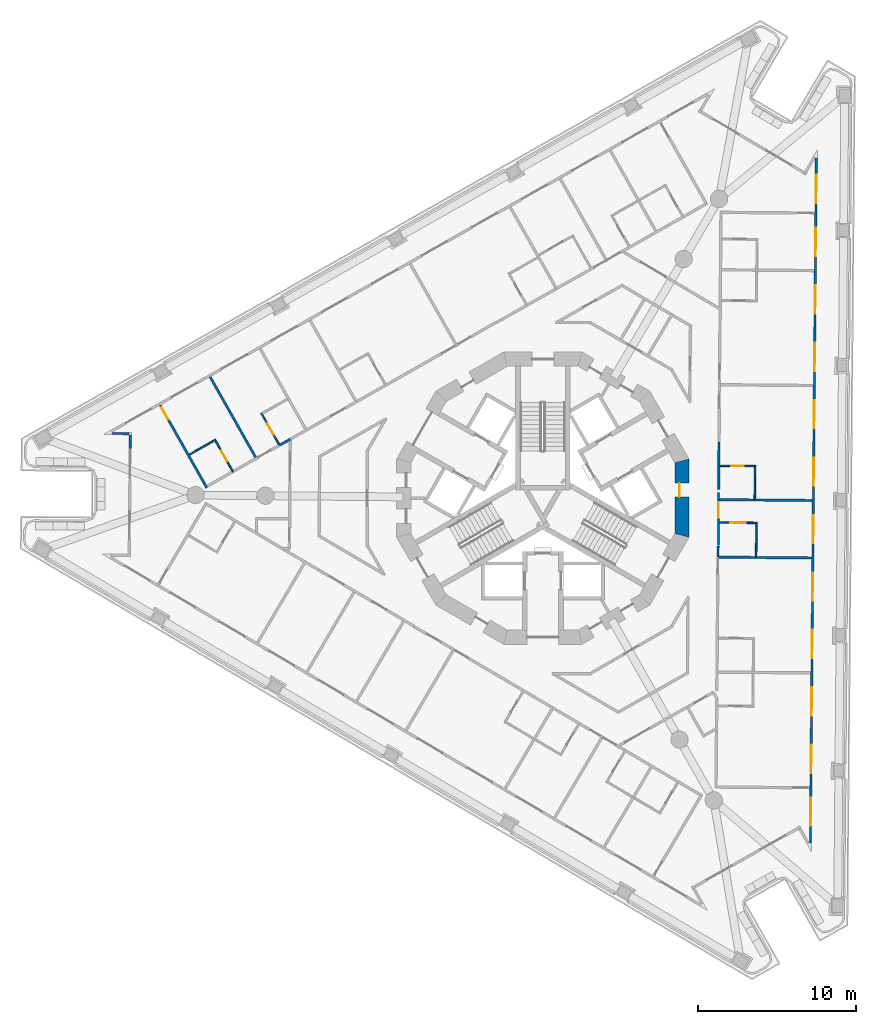
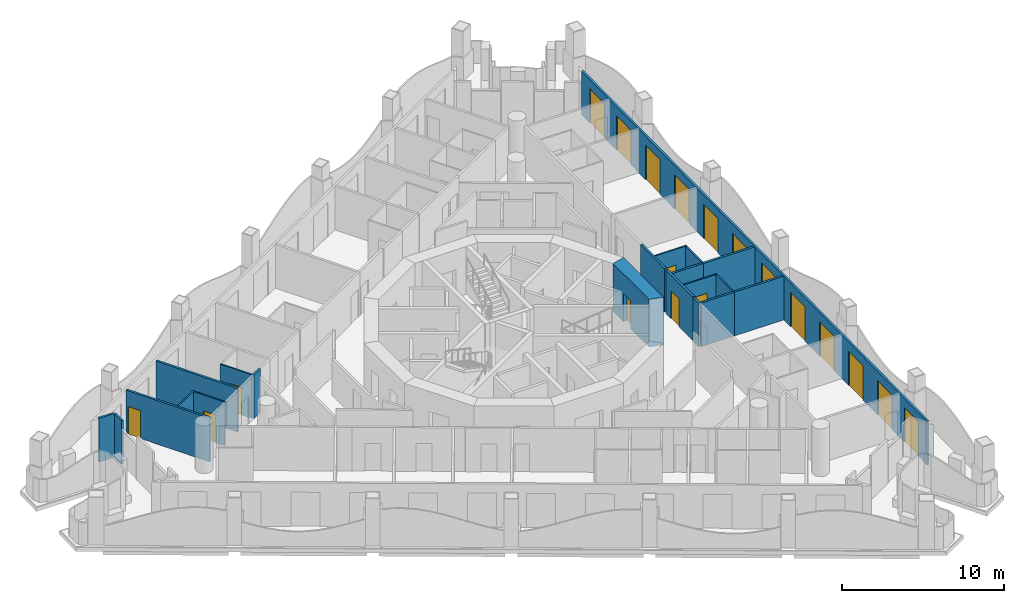
# One storey, part 6 of 17: 21 walls, 19 doors, 19 openings.
"""IFC4 building model written with IfcOpenShell, lengths in metres."""

from ifc_helpers import new_model, si_unit, direction, frame, frame_2d, origin, place, context, subcontext, project, spatial, polyline, rectangle, outline, extrude, material, layer, layer_set, type_object, element, fill, save


model = new_model("IFC4")

# Units and contexts
model_context = context("Model", 3, precision=1e-05, world=origin(), true_north=direction((0.0, 1.0)))
body_context = subcontext(model_context, "Body", "Model", "MODEL_VIEW")
ifc_project = project(units=[si_unit("LENGTHUNIT", "METRE"), si_unit("AREAUNIT", "SQUARE_METRE"), si_unit("VOLUMEUNIT", "CUBIC_METRE"), si_unit("PLANEANGLEUNIT", "RADIAN"), si_unit("MASSUNIT", "GRAM", prefix="KILO")], contexts=[model_context])

# Site, building, storey
site_placement = place(None, origin())
site = spatial("IfcSite", under=ifc_project, at=site_placement, CompositionType="ELEMENT")
building_placement = place(site_placement, origin())
building = spatial("IfcBuilding", under=site, at=building_placement, Name="Trine Commons Tower", CompositionType="ELEMENT")
storey_placement = place(building_placement, frame((0.0, 0.0, 186.300048828125)))
storey = spatial("IfcBuildingStorey", under=building, at=storey_placement, Name="L48", CompositionType="ELEMENT", Elevation=186.300048828125)

# Walls
ifc_material_1 = material(Name="Aluminium-framed insulated wall panel", Category="aluminium")
ifc_layer_1 = layer(ifc_material_1, 0.14990234375)
ifc_layer_set_1 = layer_set([ifc_layer_1], Name="Aluminium-framed insulated wall panel")
wall_type_1 = type_object("IfcWallType", Name="Glazed frame wall 150, EI 60", PredefinedType="SOLIDWALL", material=ifc_layer_set_1)
wall_1_placement = place(storey_placement, frame((53.816162109375, 65.628662109375, 0.0), z_axis=(0.0, 0.0, 1.0), x_axis=(0.008788723053, 0.999961378428, 0.0)))
element("IfcWall", 1, at=wall_1_placement, inside=storey, type_object=wall_type_1, Name="Glazed frame wall P1.5", PredefinedType="SOLIDWALL", context=body_context, shape_type="SweptSolid", body=[
    extrude(outline(polyline([(0.889892578125, 0.074951171875), (0.0, 0.074951171875), (0.0, -0.074951171875), (0.889892578125, -0.074951171875), (0.889892578125, 0.074951171875)])), origin(), (0.0, 0.0, 1.0), 3.300048828125),
])
wall_2_placement = place(storey_placement, frame((53.859619140625, 66.59326171875, 0.0), z_axis=(0.0, 0.0, 1.0), x_axis=(-0.999962043845, 0.008712684354, 0.0)))
element("IfcWall", 2, at=wall_2_placement, inside=storey, type_object=wall_type_1, Name="Glazed frame wall R3", PredefinedType="SOLIDWALL", context=body_context, shape_type="SweptSolid", body=[
    extrude(outline(polyline([(0.110107421875, 0.074951171875), (0.110107421875, -0.074951171875), (1.19580078125, -0.074951171875), (1.19580078125, 0.074951171875), (0.110107421875, 0.074951171875)])), origin(), (0.0, 0.0, 1.0), 3.300048828125),
])

# Wall, openings, doors
wall_3_placement = place(storey_placement, frame((97.36279296875, 84.232421875, 0.0), z_axis=(0.0, 0.0, 1.0), x_axis=(-0.00872447395, -0.999961941053, 0.0)))
wall_3 = element("IfcWall", 3, at=wall_3_placement, inside=storey, type_object=wall_type_1, Name="Glazed frame wall F2", PredefinedType="SOLIDWALL", context=body_context, shape_type="SweptSolid", body=[
    extrude(outline(polyline([(0.1494140625, 0.074951171875), (0.1494140625, -0.074951171875), (43.616943359375, -0.074951171875), (43.616943359375, 0.074951171875), (0.1494140625, 0.074951171875)])), origin(), (0.0, 0.0, 1.0), 3.300048828125),
])
opening_1_placement = place(wall_3_placement, frame((1.2236328125, 0.0, 0.0)))
opening_1 = element("IfcOpeningElement", 4, at=opening_1_placement, cuts=wall_3, Name="Opening BD-5F2-01", PredefinedType="OPENING", context=body_context, shape_type="SweptSolid", body=[
    extrude(rectangle(XDim=1.800048828125, YDim=2.60009765625, at=frame_2d((0.89990234375, 1.300048828125))), frame((0.0, 0.0849609375, 0.0), z_axis=(0.0, -1.0, 0.0), x_axis=(1.0, 0.0, 0.0)), (0.0, 0.0, 1.0), 0.169921875),
])
opening_2_placement = place(wall_3_placement, frame((4.57080078125, 0.0, 0.0)))
opening_2 = element("IfcOpeningElement", 5, at=opening_2_placement, cuts=wall_3, Name="Opening BD-5F2-02", PredefinedType="OPENING", context=body_context, shape_type="SweptSolid", body=[
    extrude(rectangle(XDim=1.800048828125, YDim=2.60009765625, at=frame_2d((0.89990234375, 1.300048828125))), frame((0.0, 0.0849609375, 0.0), z_axis=(0.0, -1.0, 0.0), x_axis=(1.0, 0.0, 0.0)), (0.0, 0.0, 1.0), 0.169921875),
])
opening_3_placement = place(wall_3_placement, frame((8.218017578125, 0.0, 0.0)))
opening_3 = element("IfcOpeningElement", 6, at=opening_3_placement, cuts=wall_3, Name="Opening BD-5F2-03", PredefinedType="OPENING", context=body_context, shape_type="SweptSolid", body=[
    extrude(rectangle(XDim=1.800048828125, YDim=2.60009765625, at=frame_2d((0.89990234375, 1.300048828125))), frame((0.0, 0.0849609375, 0.0), z_axis=(0.0, -1.0, 0.0), x_axis=(1.0, 0.0, 0.0)), (0.0, 0.0, 1.0), 0.169921875),
])
opening_4_placement = place(wall_3_placement, frame((11.865234375, 0.0, 0.0)))
opening_4 = element("IfcOpeningElement", 7, at=opening_4_placement, cuts=wall_3, Name="Opening BD-5F2-04", PredefinedType="OPENING", context=body_context, shape_type="SweptSolid", body=[
    extrude(rectangle(XDim=1.800048828125, YDim=2.60009765625, at=frame_2d((0.89990234375, 1.300048828125))), frame((0.0, 0.0849609375, 0.0), z_axis=(0.0, -1.0, 0.0), x_axis=(1.0, 0.0, 0.0)), (0.0, 0.0, 1.0), 0.169921875),
])
opening_5_placement = place(wall_3_placement, frame((15.512451171875, 0.0, 0.0)))
opening_5 = element("IfcOpeningElement", 8, at=opening_5_placement, cuts=wall_3, Name="Opening BD-5F2-05", PredefinedType="OPENING", context=body_context, shape_type="SweptSolid", body=[
    extrude(rectangle(XDim=1.800048828125, YDim=2.60009765625, at=frame_2d((0.89990234375, 1.300048828125))), frame((0.0, 0.0849609375, 0.0), z_axis=(0.0, -1.0, 0.0), x_axis=(1.0, 0.0, 0.0)), (0.0, 0.0, 1.0), 0.169921875),
])
opening_6_placement = place(wall_3_placement, frame((19.15966796875, 0.0, 0.0)))
opening_6 = element("IfcOpeningElement", 9, at=opening_6_placement, cuts=wall_3, Name="Opening BD-5F2-06", PredefinedType="OPENING", context=body_context, shape_type="SweptSolid", body=[
    extrude(rectangle(XDim=1.800048828125, YDim=2.60009765625, at=frame_2d((0.89990234375, 1.300048828125))), frame((0.0, 0.0849609375, 0.0), z_axis=(0.0, -1.0, 0.0), x_axis=(1.0, 0.0, 0.0)), (0.0, 0.0, 1.0), 0.169921875),
])
opening_7_placement = place(wall_3_placement, frame((22.806884765625, 0.0, 0.0)))
opening_7 = element("IfcOpeningElement", 10, at=opening_7_placement, cuts=wall_3, Name="Opening BD-5F2-07", PredefinedType="OPENING", context=body_context, shape_type="SweptSolid", body=[
    extrude(rectangle(XDim=1.800048828125, YDim=2.60009765625, at=frame_2d((0.89990234375, 1.300048828125))), frame((0.0, 0.0849609375, 0.0), z_axis=(0.0, -1.0, 0.0), x_axis=(1.0, 0.0, 0.0)), (0.0, 0.0, 1.0), 0.169921875),
])
opening_8_placement = place(wall_3_placement, frame((26.4541015625, 0.0, 0.0)))
opening_8 = element("IfcOpeningElement", 11, at=opening_8_placement, cuts=wall_3, Name="Opening BD-5F2-08", PredefinedType="OPENING", context=body_context, shape_type="SweptSolid", body=[
    extrude(rectangle(XDim=1.800048828125, YDim=2.60009765625, at=frame_2d((0.89990234375, 1.300048828125))), frame((0.0, 0.0849609375, 0.0), z_axis=(0.0, -1.0, 0.0), x_axis=(1.0, 0.0, 0.0)), (0.0, 0.0, 1.0), 0.169921875),
])
opening_9_placement = place(wall_3_placement, frame((30.101318359375, 0.0, 0.0)))
opening_9 = element("IfcOpeningElement", 12, at=opening_9_placement, cuts=wall_3, Name="Opening BD-5F2-09", PredefinedType="OPENING", context=body_context, shape_type="SweptSolid", body=[
    extrude(rectangle(XDim=1.800048828125, YDim=2.60009765625, at=frame_2d((0.89990234375, 1.300048828125))), frame((0.0, 0.0849609375, 0.0), z_axis=(0.0, -1.0, 0.0), x_axis=(1.0, 0.0, 0.0)), (0.0, 0.0, 1.0), 0.169921875),
])
opening_10_placement = place(wall_3_placement, frame((33.748291015625, 0.0, 0.0)))
opening_10 = element("IfcOpeningElement", 13, at=opening_10_placement, cuts=wall_3, Name="Opening BD-5F2-10", PredefinedType="OPENING", context=body_context, shape_type="SweptSolid", body=[
    extrude(rectangle(XDim=1.800048828125, YDim=2.60009765625, at=frame_2d((0.89990234375, 1.300048828125))), frame((0.0, 0.0849609375, 0.0), z_axis=(0.0, -1.0, 0.0), x_axis=(1.0, 0.0, 0.0)), (0.0, 0.0, 1.0), 0.169921875),
])
opening_11_placement = place(wall_3_placement, frame((37.3955078125, 0.0, 0.0)))
opening_11 = element("IfcOpeningElement", 14, at=opening_11_placement, cuts=wall_3, Name="Opening BD-5F2-11", PredefinedType="OPENING", context=body_context, shape_type="SweptSolid", body=[
    extrude(rectangle(XDim=1.800048828125, YDim=2.60009765625, at=frame_2d((0.89990234375, 1.300048828125))), frame((0.0, 0.0849609375, 0.0), z_axis=(0.0, -1.0, 0.0), x_axis=(1.0, 0.0, 0.0)), (0.0, 0.0, 1.0), 0.169921875),
])
opening_12_placement = place(wall_3_placement, frame((40.742919921875, 0.0, 0.0)))
opening_12 = element("IfcOpeningElement", 15, at=opening_12_placement, cuts=wall_3, Name="Opening BD-5F2-12", PredefinedType="OPENING", context=body_context, shape_type="SweptSolid", body=[
    extrude(rectangle(XDim=1.800048828125, YDim=2.60009765625, at=frame_2d((0.89990234375, 1.300048828125))), frame((0.0, 0.0849609375, 0.0), z_axis=(0.0, -1.0, 0.0), x_axis=(1.0, 0.0, 0.0)), (0.0, 0.0, 1.0), 0.169921875),
])
ifc_material_2 = material(Name="Anodised aluminium frame with double glazing", Category="aluminium")
door_type_1 = type_object("IfcDoorType", Name="Sliding loggia door 1800x2600", OperationType="SLIDING_TO_LEFT", PredefinedType="DOOR", material=ifc_material_2)
door_1_placement = place(opening_1_placement, origin())
door_1 = element("IfcDoor", 16, at=door_1_placement, inside=storey, type_object=door_type_1, Name="Loggia door F2 1", OperationType="SLIDING_TO_LEFT", OverallHeight=2.60009765625, OverallWidth=1.800048828125, PredefinedType="DOOR", context=body_context, shape_type="SweptSolid", body=[
    extrude(rectangle(XDim=1.800048828125, YDim=2.60009765625, at=frame_2d((0.89990234375, 1.300048828125))), frame((0.0, 0.02490234375, 0.0), z_axis=(0.0, -1.0, 0.0), x_axis=(1.0, 0.0, 0.0)), (0.0, 0.0, 1.0), 0.050048828125),
])
fill(opening_1, door_1)
door_2_placement = place(opening_2_placement, origin())
door_2 = element("IfcDoor", 17, at=door_2_placement, inside=storey, type_object=door_type_1, Name="Loggia door F2 2", OperationType="SLIDING_TO_LEFT", OverallHeight=2.60009765625, OverallWidth=1.800048828125, PredefinedType="DOOR", context=body_context, shape_type="SweptSolid", body=[
    extrude(rectangle(XDim=1.800048828125, YDim=2.60009765625, at=frame_2d((0.89990234375, 1.300048828125))), frame((0.0, 0.02490234375, 0.0), z_axis=(0.0, -1.0, 0.0), x_axis=(1.0, 0.0, 0.0)), (0.0, 0.0, 1.0), 0.050048828125),
])
fill(opening_2, door_2)
door_3_placement = place(opening_3_placement, origin())
door_3 = element("IfcDoor", 18, at=door_3_placement, inside=storey, type_object=door_type_1, Name="Loggia door F2 3", OperationType="SLIDING_TO_LEFT", OverallHeight=2.60009765625, OverallWidth=1.800048828125, PredefinedType="DOOR", context=body_context, shape_type="SweptSolid", body=[
    extrude(rectangle(XDim=1.800048828125, YDim=2.60009765625, at=frame_2d((0.89990234375, 1.300048828125))), frame((0.0, 0.02490234375, 0.0), z_axis=(0.0, -1.0, 0.0), x_axis=(1.0, 0.0, 0.0)), (0.0, 0.0, 1.0), 0.050048828125),
])
fill(opening_3, door_3)
door_4_placement = place(opening_4_placement, origin())
door_4 = element("IfcDoor", 19, at=door_4_placement, inside=storey, type_object=door_type_1, Name="Loggia door F2 4", OperationType="SLIDING_TO_LEFT", OverallHeight=2.60009765625, OverallWidth=1.800048828125, PredefinedType="DOOR", context=body_context, shape_type="SweptSolid", body=[
    extrude(rectangle(XDim=1.800048828125, YDim=2.60009765625, at=frame_2d((0.89990234375, 1.300048828125))), frame((0.0, 0.02490234375, 0.0), z_axis=(0.0, -1.0, 0.0), x_axis=(1.0, 0.0, 0.0)), (0.0, 0.0, 1.0), 0.050048828125),
])
fill(opening_4, door_4)
door_5_placement = place(opening_5_placement, origin())
door_5 = element("IfcDoor", 20, at=door_5_placement, inside=storey, type_object=door_type_1, Name="Loggia door F2 5", OperationType="SLIDING_TO_LEFT", OverallHeight=2.60009765625, OverallWidth=1.800048828125, PredefinedType="DOOR", context=body_context, shape_type="SweptSolid", body=[
    extrude(rectangle(XDim=1.800048828125, YDim=2.60009765625, at=frame_2d((0.89990234375, 1.300048828125))), frame((0.0, 0.02490234375, 0.0), z_axis=(0.0, -1.0, 0.0), x_axis=(1.0, 0.0, 0.0)), (0.0, 0.0, 1.0), 0.050048828125),
])
fill(opening_5, door_5)
door_6_placement = place(opening_6_placement, origin())
door_6 = element("IfcDoor", 21, at=door_6_placement, inside=storey, type_object=door_type_1, Name="Loggia door F2 6", OperationType="SLIDING_TO_LEFT", OverallHeight=2.60009765625, OverallWidth=1.800048828125, PredefinedType="DOOR", context=body_context, shape_type="SweptSolid", body=[
    extrude(rectangle(XDim=1.800048828125, YDim=2.60009765625, at=frame_2d((0.89990234375, 1.300048828125))), frame((0.0, 0.02490234375, 0.0), z_axis=(0.0, -1.0, 0.0), x_axis=(1.0, 0.0, 0.0)), (0.0, 0.0, 1.0), 0.050048828125),
])
fill(opening_6, door_6)
door_7_placement = place(opening_7_placement, origin())
door_7 = element("IfcDoor", 22, at=door_7_placement, inside=storey, type_object=door_type_1, Name="Loggia door F2 7", OperationType="SLIDING_TO_LEFT", OverallHeight=2.60009765625, OverallWidth=1.800048828125, PredefinedType="DOOR", context=body_context, shape_type="SweptSolid", body=[
    extrude(rectangle(XDim=1.800048828125, YDim=2.60009765625, at=frame_2d((0.89990234375, 1.300048828125))), frame((0.0, 0.02490234375, 0.0), z_axis=(0.0, -1.0, 0.0), x_axis=(1.0, 0.0, 0.0)), (0.0, 0.0, 1.0), 0.050048828125),
])
fill(opening_7, door_7)
door_8_placement = place(opening_8_placement, origin())
door_8 = element("IfcDoor", 23, at=door_8_placement, inside=storey, type_object=door_type_1, Name="Loggia door F2 8", OperationType="SLIDING_TO_LEFT", OverallHeight=2.60009765625, OverallWidth=1.800048828125, PredefinedType="DOOR", context=body_context, shape_type="SweptSolid", body=[
    extrude(rectangle(XDim=1.800048828125, YDim=2.60009765625, at=frame_2d((0.89990234375, 1.300048828125))), frame((0.0, 0.02490234375, 0.0), z_axis=(0.0, -1.0, 0.0), x_axis=(1.0, 0.0, 0.0)), (0.0, 0.0, 1.0), 0.050048828125),
])
fill(opening_8, door_8)
door_9_placement = place(opening_9_placement, origin())
door_9 = element("IfcDoor", 24, at=door_9_placement, inside=storey, type_object=door_type_1, Name="Loggia door F2 9", OperationType="SLIDING_TO_LEFT", OverallHeight=2.60009765625, OverallWidth=1.800048828125, PredefinedType="DOOR", context=body_context, shape_type="SweptSolid", body=[
    extrude(rectangle(XDim=1.800048828125, YDim=2.60009765625, at=frame_2d((0.89990234375, 1.300048828125))), frame((0.0, 0.02490234375, 0.0), z_axis=(0.0, -1.0, 0.0), x_axis=(1.0, 0.0, 0.0)), (0.0, 0.0, 1.0), 0.050048828125),
])
fill(opening_9, door_9)
door_10_placement = place(opening_10_placement, origin())
door_10 = element("IfcDoor", 25, at=door_10_placement, inside=storey, type_object=door_type_1, Name="Loggia door F2 10", OperationType="SLIDING_TO_LEFT", OverallHeight=2.60009765625, OverallWidth=1.800048828125, PredefinedType="DOOR", context=body_context, shape_type="SweptSolid", body=[
    extrude(rectangle(XDim=1.800048828125, YDim=2.60009765625, at=frame_2d((0.89990234375, 1.300048828125))), frame((0.0, 0.02490234375, 0.0), z_axis=(0.0, -1.0, 0.0), x_axis=(1.0, 0.0, 0.0)), (0.0, 0.0, 1.0), 0.050048828125),
])
fill(opening_10, door_10)
door_11_placement = place(opening_11_placement, origin())
door_11 = element("IfcDoor", 26, at=door_11_placement, inside=storey, type_object=door_type_1, Name="Loggia door F2 11", OperationType="SLIDING_TO_LEFT", OverallHeight=2.60009765625, OverallWidth=1.800048828125, PredefinedType="DOOR", context=body_context, shape_type="SweptSolid", body=[
    extrude(rectangle(XDim=1.800048828125, YDim=2.60009765625, at=frame_2d((0.89990234375, 1.300048828125))), frame((0.0, 0.02490234375, 0.0), z_axis=(0.0, -1.0, 0.0), x_axis=(1.0, 0.0, 0.0)), (0.0, 0.0, 1.0), 0.050048828125),
])
fill(opening_11, door_11)
door_12_placement = place(opening_12_placement, origin())
door_12 = element("IfcDoor", 27, at=door_12_placement, inside=storey, type_object=door_type_1, Name="Loggia door F2 12", OperationType="SLIDING_TO_LEFT", OverallHeight=2.60009765625, OverallWidth=1.800048828125, PredefinedType="DOOR", context=body_context, shape_type="SweptSolid", body=[
    extrude(rectangle(XDim=1.800048828125, YDim=2.60009765625, at=frame_2d((0.89990234375, 1.300048828125))), frame((0.0, 0.02490234375, 0.0), z_axis=(0.0, -1.0, 0.0), x_axis=(1.0, 0.0, 0.0)), (0.0, 0.0, 1.0), 0.050048828125),
])
fill(opening_12, door_12)

# Wall, opening, door
ifc_material_3 = material(Name="Concrete C60/75", Category="concrete")
ifc_layer_2 = layer(ifc_material_3, 0.89990234375)
ifc_layer_set_2 = layer_set([ifc_layer_2], Name="Concrete C60/75")
wall_type_2 = type_object("IfcWallType", Name="RC shear wall 900 mm, C60/75", PredefinedType="SHEAR", material=ifc_layer_set_2)
wall_4_placement = place(storey_placement, frame((88.822998046875, 60.015380859375, 0.0), z_axis=(0.0, 0.0, 1.0), x_axis=(0.0, 1.0, 0.0)))
wall_4 = element("IfcWall", 28, at=wall_4_placement, inside=storey, type_object=wall_type_2, Name="Core wall CWE-01 L48", PredefinedType="SHEAR", context=body_context, shape_type="SweptSolid", body=[
    extrude(outline(polyline([(0.0, -0.449951171875), (4.969482421875, -0.449951171875), (4.728271484375, 0.449951171875), (0.2412109375, 0.449951171875), (0.0, -0.449951171875)])), origin(), (0.0, 0.0, 1.0), 3.599853515625),
])
opening_13_placement = place(wall_4_placement, frame((2.543701171875, 0.0, 0.0)))
opening_13 = element("IfcOpeningElement", 29, at=opening_13_placement, cuts=wall_4, Name="Opening K11.10", PredefinedType="OPENING", context=body_context, shape_type="SweptSolid", body=[
    extrude(rectangle(XDim=0.89990234375, YDim=2.10009765625, at=frame_2d((0.449951171875, 1.050048828125))), frame((0.0, 0.4599609375, 0.0), z_axis=(0.0, -1.0, 0.0), x_axis=(1.0, 0.0, 0.0)), (0.0, 0.0, 1.0), 0.919921875),
])
ifc_material_4 = material(Name="Steel door leaf, fire-rated", Category="steel")
door_type_2 = type_object("IfcDoorType", Name="Core room door, single leaf 900 x 2100, FD30S", OperationType="SINGLE_SWING_LEFT", PredefinedType="DOOR", material=ifc_material_4)
door_13_placement = place(opening_13_placement, origin())
door_13 = element("IfcDoor", 30, at=door_13_placement, inside=storey, type_object=door_type_2, Name="Door to Accessible WC L48", OperationType="SINGLE_SWING_RIGHT", OverallHeight=2.10009765625, OverallWidth=0.89990234375, PredefinedType="DOOR", context=body_context, shape_type="SweptSolid", body=[
    extrude(rectangle(XDim=0.89990234375, YDim=2.10009765625, at=frame_2d((0.449951171875, 1.050048828125))), frame((0.0, 0.1748046875, 0.0), z_axis=(0.0, -1.0, 0.0), x_axis=(1.0, 0.0, 0.0)), (0.0, 0.0, 1.0), 0.050048828125),
])
fill(opening_13, door_13)

ifc_material_5 = material(Name="Gypsum plasterboard on steel stud", Category="steel")
ifc_layer_3 = layer(ifc_material_5, 0.14990234375)
ifc_layer_set_3 = layer_set([ifc_layer_3], Name="Gypsum plasterboard on steel stud")
wall_type_3 = type_object("IfcWallType", Name="Unit and corridor wall 150 mm, EI 60", PredefinedType="PARTITIONING", material=ifc_layer_set_3)
wall_5_placement = place(storey_placement, frame((55.708740234375, 68.401123046875, 0.0), z_axis=(0.0, 0.0, 1.0), x_axis=(0.492481823802, -0.870322729351, 0.0)))
wall_5 = element("IfcWall", 31, at=wall_5_placement, inside=storey, type_object=wall_type_3, Name="Partition 002", PredefinedType="PARTITIONING", context=body_context, shape_type="SweptSolid", body=[
    extrude(rectangle(XDim=6.024658203125, YDim=0.14990234375, at=frame_2d((3.01220703125, 0.0))), origin(), (0.0, 0.0, 1.0), 3.300048828125),
])
opening_14_placement = place(wall_5_placement, frame((0.14990234375, 0.0, 0.0)))
opening_14 = element("IfcOpeningElement", 32, at=opening_14_placement, cuts=wall_5, Name="Opening D-5C06", PredefinedType="OPENING", context=body_context, shape_type="SweptSolid", body=[
    extrude(rectangle(XDim=0.89990234375, YDim=2.10009765625, at=frame_2d((0.449951171875, 1.050048828125))), frame((0.0, 0.0849609375, 0.0), z_axis=(0.0, -1.0, 0.0), x_axis=(1.0, 0.0, 0.0)), (0.0, 0.0, 1.0), 0.169921875),
])
ifc_material_6 = material(Name="Timber fire door set", Category="wood")
door_type_3 = type_object("IfcDoorType", Name="Bedroom door 900 x 2100, FD30S", OperationType="NOTDEFINED", PredefinedType="DOOR", material=ifc_material_6)
door_14_placement = place(opening_14_placement, origin())
door_14 = element("IfcDoor", 33, at=door_14_placement, inside=storey, type_object=door_type_3, Name="Door D-5C06", OperationType="SINGLE_SWING_LEFT", OverallHeight=2.10009765625, OverallWidth=0.89990234375, PredefinedType="DOOR", context=body_context, shape_type="SweptSolid", body=[
    extrude(rectangle(XDim=0.89990234375, YDim=2.10009765625, at=frame_2d((0.449951171875, 1.050048828125))), frame((0.0, 0.02490234375, 0.0), z_axis=(0.0, -1.0, 0.0), x_axis=(1.0, 0.0, 0.0)), (0.0, 0.0, 1.0), 0.050048828125),
])
fill(opening_14, door_14)

# Walls
wall_6_placement = place(storey_placement, frame((58.8837890625, 70.197265625, 0.0), z_axis=(0.0, 0.0, 1.0), x_axis=(0.492361245758, -0.870390948756, 0.0)))
element("IfcWall", 34, at=wall_6_placement, inside=storey, type_object=wall_type_3, Name="Partition 008", PredefinedType="PARTITIONING", context=body_context, shape_type="SweptSolid", body=[
    extrude(rectangle(XDim=5.87451171875, YDim=0.14990234375, at=frame_2d((2.937255859375, 0.0))), origin(), (0.0, 0.0, 1.0), 3.300048828125),
])
wall_7_placement = place(storey_placement, frame((63.287109375, 65.85302734375, 0.0), z_axis=(0.0, 0.0, 1.0), x_axis=(0.870304245998, 0.492514486485, 0.0)))
element("IfcWall", 35, at=wall_7_placement, inside=storey, type_object=wall_type_3, Name="Partition 018", PredefinedType="PARTITIONING", context=body_context, shape_type="SweptSolid", body=[
    extrude(rectangle(XDim=0.791748046875, YDim=0.14990234375, at=frame_2d((0.39599609375, 0.0))), origin(), (0.0, 0.0, 1.0), 3.300048828125),
])
wall_8_placement = place(storey_placement, frame((91.115966796875, 58.751953125, 0.0), z_axis=(0.0, 0.0, 1.0), x_axis=(0.008511778806, 0.999963774155, 0.0)))
element("IfcWall", 36, at=wall_8_placement, inside=storey, type_object=wall_type_3, Name="Partition 112", PredefinedType="PARTITIONING", context=body_context, shape_type="SweptSolid", body=[
    extrude(rectangle(XDim=0.717041015625, YDim=0.14990234375, at=frame_2d((0.3583984375, 0.0))), origin(), (0.0, 0.0, 1.0), 3.300048828125),
])
wall_9_placement = place(storey_placement, frame((91.19091796875, 58.75537109375, 0.0), z_axis=(0.0, 0.0, 1.0), x_axis=(0.999958111016, -0.009152934655, 0.0)))
element("IfcWall", 37, at=wall_9_placement, inside=storey, type_object=wall_type_3, Name="Partition 113", PredefinedType="PARTITIONING", context=body_context, shape_type="SweptSolid", body=[
    extrude(rectangle(XDim=2.34716796875, YDim=0.14990234375, at=frame_2d((1.173583984375, 0.0))), origin(), (0.0, 0.0, 1.0), 3.300048828125),
])

# Wall, opening, door
wall_10_placement = place(storey_placement, frame((91.14794921875, 59.512939453125, 0.0), z_axis=(0.0, 0.0, 1.0), x_axis=(0.0, 1.0, 0.0)))
wall_10 = element("IfcWall", 38, at=wall_10_placement, inside=storey, type_object=wall_type_3, Name="Partition 114", PredefinedType="PARTITIONING", context=body_context, shape_type="SweptSolid", body=[
    extrude(rectangle(XDim=3.34716796875, YDim=0.14990234375, at=frame_2d((1.673583984375, 0.0))), origin(), (0.0, 0.0, 1.0), 3.300048828125),
])
opening_15_placement = place(wall_10_placement, frame((1.739990234375, 0.0, 0.0)))
opening_15 = element("IfcOpeningElement", 39, at=opening_15_placement, cuts=wall_10, Name="Opening D-5C17", PredefinedType="OPENING", context=body_context, shape_type="SweptSolid", body=[
    extrude(rectangle(XDim=1.0, YDim=2.10009765625, at=frame_2d((0.5, 1.050048828125))), frame((0.0, 0.0849609375, 0.0), z_axis=(0.0, -1.0, 0.0), x_axis=(1.0, 0.0, 0.0)), (0.0, 0.0, 1.0), 0.169921875),
])
door_type_4 = type_object("IfcDoorType", Name="Bedroom door 1000 x 2100, FD30S", OperationType="NOTDEFINED", PredefinedType="DOOR", material=ifc_material_6)
door_15_placement = place(opening_15_placement, frame((1.0, 0.0, 0.0), z_axis=(0.0, 0.0, 1.0), x_axis=(-1.0, 0.0, 0.0)))
door_15 = element("IfcDoor", 40, at=door_15_placement, inside=storey, type_object=door_type_4, Name="Door D-5C17", OperationType="SINGLE_SWING_LEFT", OverallHeight=2.10009765625, OverallWidth=1.0, PredefinedType="DOOR", context=body_context, shape_type="SweptSolid", body=[
    extrude(rectangle(XDim=1.0, YDim=2.10009765625, at=frame_2d((0.5, 1.050048828125))), frame((0.0, 0.02490234375, 0.0), z_axis=(0.0, -1.0, 0.0), x_axis=(1.0, 0.0, 0.0)), (0.0, 0.0, 1.0), 0.050048828125),
])
fill(opening_15, door_15)

# Walls
wall_11_placement = place(storey_placement, frame((91.222900390625, 62.40234375, 0.0), z_axis=(0.0, 0.0, 1.0), x_axis=(0.999962435149, -0.008667657711, 0.0)))
element("IfcWall", 41, at=wall_11_placement, inside=storey, type_object=wall_type_3, Name="Partition 116", PredefinedType="PARTITIONING", context=body_context, shape_type="SweptSolid", body=[
    extrude(rectangle(XDim=2.22509765625, YDim=0.14990234375, at=frame_2d((1.112548828125, 0.0))), origin(), (0.0, 0.0, 1.0), 3.300048828125),
])
wall_12_placement = place(storey_placement, frame((91.154052734375, 63.05810546875, 0.0), z_axis=(0.0, 0.0, 1.0), x_axis=(0.008649207267, 0.999962594907, 0.0)))
element("IfcWall", 42, at=wall_12_placement, inside=storey, type_object=wall_type_3, Name="Partition 117", PredefinedType="PARTITIONING", context=body_context, shape_type="SweptSolid", body=[
    extrude(rectangle(XDim=2.991943359375, YDim=0.14990234375, at=frame_2d((1.49609375, 0.0))), origin(), (0.0, 0.0, 1.0), 3.300048828125),
])
wall_13_placement = place(storey_placement, frame((93.447998046875, 62.383056640625, 0.0), z_axis=(0.0, 0.0, 1.0), x_axis=(0.999959811346, -0.008965249212, 0.0)))
element("IfcWall", 43, at=wall_13_placement, inside=storey, type_object=wall_type_3, Name="Partition 131", PredefinedType="PARTITIONING", context=body_context, shape_type="SweptSolid", body=[
    extrude(rectangle(XDim=3.649169921875, YDim=0.14990234375, at=frame_2d((1.82470703125, 0.0))), origin(), (0.0, 0.0, 1.0), 3.300048828125),
])
wall_14_placement = place(storey_placement, frame((93.5380859375, 58.73388671875, 0.0), z_axis=(0.0, 0.0, 1.0), x_axis=(0.999962565639, -0.008652590385, 0.0)))
element("IfcWall", 44, at=wall_14_placement, inside=storey, type_object=wall_type_3, Name="Partition 133", PredefinedType="PARTITIONING", context=body_context, shape_type="SweptSolid", body=[
    extrude(rectangle(XDim=3.527099609375, YDim=0.14990234375, at=frame_2d((1.763671875, 0.0))), origin(), (0.0, 0.0, 1.0), 3.300048828125),
])
ifc_layer_4 = layer(ifc_material_5, 0.10009765625)
ifc_layer_set_4 = layer_set([ifc_layer_4], Name="Gypsum plasterboard on steel stud")
wall_type_4 = type_object("IfcWallType", Name="Unit partition 100 mm, no rating", PredefinedType="PARTITIONING", material=ifc_layer_set_4)
wall_15_placement = place(storey_placement, frame((57.5712890625, 65.261962890625, 0.0), z_axis=(0.0, 0.0, 1.0), x_axis=(0.870373787042, 0.492391582818, 0.0)))
element("IfcWall", 45, at=wall_15_placement, inside=storey, type_object=wall_type_4, Name="Partition 005", PredefinedType="PARTITIONING", context=body_context, shape_type="SweptSolid", body=[
    extrude(rectangle(XDim=1.9248046875, YDim=0.10009765625, at=frame_2d((0.96240234375, 0.0))), origin(), (0.0, 0.0, 1.0), 3.300048828125),
])

# Wall, opening, door
wall_16_placement = place(storey_placement, frame((59.2275390625, 66.1416015625, 0.0), z_axis=(0.0, 0.0, 1.0), x_axis=(0.492536208657, -0.87029195283, 0.0)))
wall_16 = element("IfcWall", 46, at=wall_16_placement, inside=storey, type_object=wall_type_4, Name="Partition 009", PredefinedType="PARTITIONING", context=body_context, shape_type="SweptSolid", body=[
    extrude(rectangle(XDim=2.25048828125, YDim=0.10009765625, at=frame_2d((1.125244140625, 0.0))), origin(), (0.0, 0.0, 1.0), 3.300048828125),
])
opening_16_placement = place(wall_16_placement, frame((0.72509765625, 0.0, 0.0)))
opening_16 = element("IfcOpeningElement", 47, at=opening_16_placement, cuts=wall_16, Name="Opening D-5C33", PredefinedType="OPENING", context=body_context, shape_type="SweptSolid", body=[
    extrude(rectangle(XDim=0.800048828125, YDim=2.10009765625, at=frame_2d((0.39990234375, 1.050048828125))), frame((0.0, 0.06005859375, 0.0), z_axis=(0.0, -1.0, 0.0), x_axis=(1.0, 0.0, 0.0)), (0.0, 0.0, 1.0), 0.1201171875),
])
ifc_material_7 = material(Name="Painted timber", Category="wood")
door_type_5 = type_object("IfcDoorType", Name="Internal door 800 x 2100, NOT RATED", OperationType="NOTDEFINED", PredefinedType="DOOR", material=ifc_material_7)
door_16_placement = place(opening_16_placement, origin())
door_16 = element("IfcDoor", 48, at=door_16_placement, inside=storey, type_object=door_type_5, Name="Door D-5C33", OperationType="SINGLE_SWING_RIGHT", OverallHeight=2.10009765625, OverallWidth=0.800048828125, PredefinedType="DOOR", context=body_context, shape_type="SweptSolid", body=[
    extrude(rectangle(XDim=0.800048828125, YDim=2.10009765625, at=frame_2d((0.39990234375, 1.050048828125))), frame((0.0, 0.02490234375, 0.0), z_axis=(0.0, -1.0, 0.0), x_axis=(1.0, 0.0, 0.0)), (0.0, 0.0, 1.0), 0.050048828125),
])
fill(opening_16, door_16)

wall_17_placement = place(storey_placement, frame((62.13330078125, 67.900390625, 0.0), z_axis=(0.0, 0.0, 1.0), x_axis=(0.492308331861, -0.870420878874, 0.0)))
wall_17 = element("IfcWall", 49, at=wall_17_placement, inside=storey, type_object=wall_type_4, Name="Partition 016", PredefinedType="PARTITIONING", context=body_context, shape_type="SweptSolid", body=[
    extrude(rectangle(XDim=2.274658203125, YDim=0.10009765625, at=frame_2d((1.13720703125, 0.0))), origin(), (0.0, 0.0, 1.0), 3.300048828125),
])
opening_17_placement = place(wall_17_placement, frame((0.762451171875, 0.0, 0.0)))
opening_17 = element("IfcOpeningElement", 50, at=opening_17_placement, cuts=wall_17, Name="Opening D-5C34", PredefinedType="OPENING", context=body_context, shape_type="SweptSolid", body=[
    extrude(rectangle(XDim=0.800048828125, YDim=2.10009765625, at=frame_2d((0.39990234375, 1.050048828125))), frame((0.0, 0.06005859375, 0.0), z_axis=(0.0, -1.0, 0.0), x_axis=(1.0, 0.0, 0.0)), (0.0, 0.0, 1.0), 0.1201171875),
])
door_17_placement = place(opening_17_placement, frame((0.800048828125, 0.0, 0.0), z_axis=(0.0, 0.0, 1.0), x_axis=(-1.0, 0.0, 0.0)))
door_17 = element("IfcDoor", 51, at=door_17_placement, inside=storey, type_object=door_type_5, Name="Door D-5C34", OperationType="SINGLE_SWING_LEFT", OverallHeight=2.10009765625, OverallWidth=0.800048828125, PredefinedType="DOOR", context=body_context, shape_type="SweptSolid", body=[
    extrude(rectangle(XDim=0.800048828125, YDim=2.10009765625, at=frame_2d((0.39990234375, 1.050048828125))), frame((0.0, 0.02490234375, 0.0), z_axis=(0.0, -1.0, 0.0), x_axis=(1.0, 0.0, 0.0)), (0.0, 0.0, 1.0), 0.050048828125),
])
fill(opening_17, door_17)

wall_18_placement = place(storey_placement, frame((91.222900390625, 60.954345703125, 0.0), z_axis=(0.0, 0.0, 1.0), x_axis=(0.99996214851, -0.008700663591, 0.0)))
wall_18 = element("IfcWall", 52, at=wall_18_placement, inside=storey, type_object=wall_type_4, Name="Partition 115", PredefinedType="PARTITIONING", context=body_context, shape_type="SweptSolid", body=[
    extrude(rectangle(XDim=2.385009765625, YDim=0.10009765625, at=frame_2d((1.1923828125, 0.0))), origin(), (0.0, 0.0, 1.0), 3.300048828125),
])
opening_18_placement = place(wall_18_placement, frame((0.66748046875, 0.0, 0.0)))
opening_18 = element("IfcOpeningElement", 53, at=opening_18_placement, cuts=wall_18, Name="Opening D-5C43", PredefinedType="OPENING", context=body_context, shape_type="SweptSolid", body=[
    extrude(rectangle(XDim=1.0, YDim=2.10009765625, at=frame_2d((0.5, 1.050048828125))), frame((0.0, 0.06005859375, 0.0), z_axis=(0.0, -1.0, 0.0), x_axis=(1.0, 0.0, 0.0)), (0.0, 0.0, 1.0), 0.1201171875),
])
door_type_6 = type_object("IfcDoorType", Name="Internal door 1000 x 2100, NOT RATED", OperationType="NOTDEFINED", PredefinedType="DOOR", material=ifc_material_7)
door_18_placement = place(opening_18_placement, origin())
door_18 = element("IfcDoor", 54, at=door_18_placement, inside=storey, type_object=door_type_6, Name="Door D-5C43", OperationType="SINGLE_SWING_LEFT", OverallHeight=2.10009765625, OverallWidth=1.0, PredefinedType="DOOR", context=body_context, shape_type="SweptSolid", body=[
    extrude(rectangle(XDim=1.0, YDim=2.10009765625, at=frame_2d((0.5, 1.050048828125))), frame((0.0, 0.02490234375, 0.0), z_axis=(0.0, -1.0, 0.0), x_axis=(1.0, 0.0, 0.0)), (0.0, 0.0, 1.0), 0.050048828125),
])
fill(opening_18, door_18)

wall_19_placement = place(storey_placement, frame((91.241943359375, 64.55224609375, 0.0), z_axis=(0.0, 0.0, 1.0), x_axis=(0.999958404904, -0.009120770943, 0.0)))
wall_19 = element("IfcWall", 55, at=wall_19_placement, inside=storey, type_object=wall_type_4, Name="Partition 118", PredefinedType="PARTITIONING", context=body_context, shape_type="SweptSolid", body=[
    extrude(rectangle(XDim=2.275146484375, YDim=0.10009765625, at=frame_2d((1.1376953125, 0.0))), origin(), (0.0, 0.0, 1.0), 3.300048828125),
])
opening_19_placement = place(wall_19_placement, frame((0.71240234375, 0.0, 0.0)))
opening_19 = element("IfcOpeningElement", 56, at=opening_19_placement, cuts=wall_19, Name="Opening D-5C42", PredefinedType="OPENING", context=body_context, shape_type="SweptSolid", body=[
    extrude(rectangle(XDim=0.800048828125, YDim=2.10009765625, at=frame_2d((0.39990234375, 1.050048828125))), frame((0.0, 0.06005859375, 0.0), z_axis=(0.0, -1.0, 0.0), x_axis=(1.0, 0.0, 0.0)), (0.0, 0.0, 1.0), 0.1201171875),
])
door_19_placement = place(opening_19_placement, origin())
door_19 = element("IfcDoor", 57, at=door_19_placement, inside=storey, type_object=door_type_5, Name="Door D-5C42", OperationType="SINGLE_SWING_LEFT", OverallHeight=2.10009765625, OverallWidth=0.800048828125, PredefinedType="DOOR", context=body_context, shape_type="SweptSolid", body=[
    extrude(rectangle(XDim=0.800048828125, YDim=2.10009765625, at=frame_2d((0.39990234375, 1.050048828125))), frame((0.0, 0.02490234375, 0.0), z_axis=(0.0, -1.0, 0.0), x_axis=(1.0, 0.0, 0.0)), (0.0, 0.0, 1.0), 0.050048828125),
])
fill(opening_19, door_19)

# Walls
wall_20_placement = place(storey_placement, frame((93.44873046875, 62.4580078125, 0.0), z_axis=(0.0, 0.0, 1.0), x_axis=(0.008805448719, 0.999961231285, 0.0)))
element("IfcWall", 58, at=wall_20_placement, inside=storey, type_object=wall_type_4, Name="Partition 130", PredefinedType="PARTITIONING", context=body_context, shape_type="SweptSolid", body=[
    extrude(rectangle(XDim=2.02392578125, YDim=0.10009765625, at=frame_2d((1.011962890625, 0.0))), origin(), (0.0, 0.0, 1.0), 3.300048828125),
])
wall_21_placement = place(storey_placement, frame((93.538818359375, 58.80908203125, 0.0), z_axis=(0.0, 0.0, 1.0), x_axis=(0.009059517597, 0.999958961728, 0.0)))
element("IfcWall", 59, at=wall_21_placement, inside=storey, type_object=wall_type_4, Name="Partition 132", PredefinedType="PARTITIONING", context=body_context, shape_type="SweptSolid", body=[
    extrude(rectangle(XDim=2.074951171875, YDim=0.10009765625, at=frame_2d((1.03759765625, 0.0))), origin(), (0.0, 0.0, 1.0), 3.300048828125),
])

save(model, "model.ifc")
